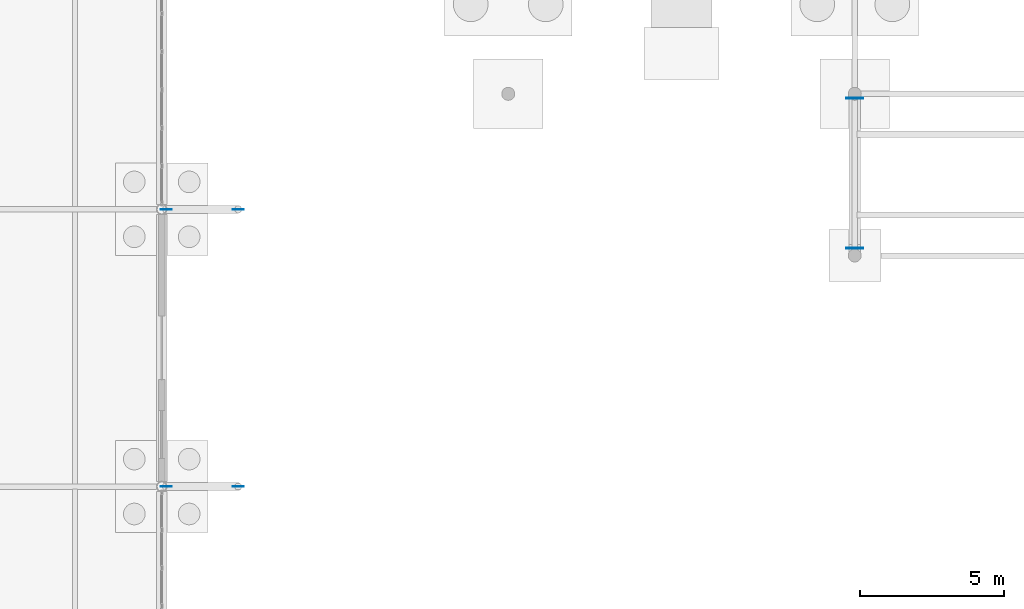
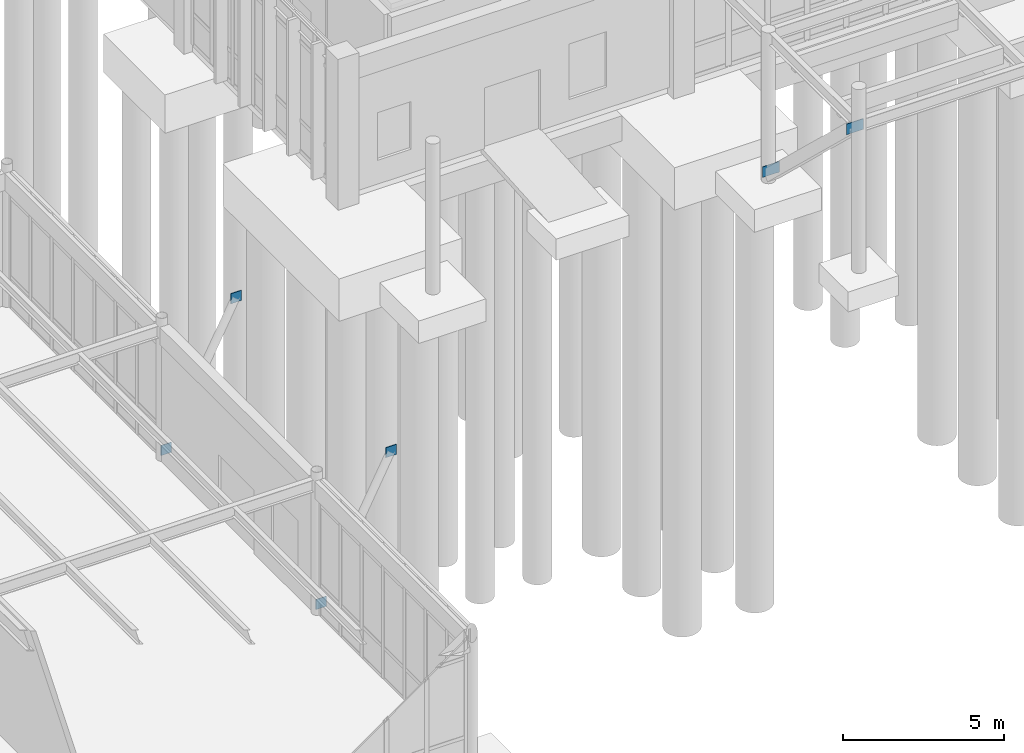
# One storey, part 146 of 188: 6 plates.
"""IFC4 building model written with IfcOpenShell, lengths in metres."""

import ifcopenshell
import ifcopenshell.guid

model = None  # the IFC model being written
_history = None  # IfcOwnerHistory: only IFC2X3 demands one
_inside = {}  # id of a spatial element -> (the spatial element, [elements in it])
_under = {}  # id of a project, library or spatial element -> (it, [spatial elements below it])
_declared = {}  # id of a project -> (the project, [libraries it declares])
_typed = {}  # id of a type object -> (the type object, [elements of that type])
_made_of = {}  # id of a material, layer set ... -> (it, [elements and type objects made of it])


def new_model(schema):
    """Start an empty IFC model of exactly this schema.

    Asked for "IFC4X3", IfcOpenShell would pick the latest addendum, in which some entities
    have other attributes; the version numbers below select the first issue.
    IFC2X3 requires an IfcOwnerHistory on every rooted entity: one is made here for all.
    """
    global model, _history
    if schema == "IFC4X3":
        model = ifcopenshell.file(schema_version=(4, 3, 0, 0))
    else:
        model = ifcopenshell.file(schema=schema)
    _inside.clear()
    _under.clear()
    _declared.clear()
    _typed.clear()
    _made_of.clear()
    _history = None
    if model.schema == "IFC2X3":
        org = make("IfcOrganization", Name="unknown")
        user = make(
            "IfcPersonAndOrganization",
            ThePerson=make("IfcPerson", FamilyName="unknown"),
            TheOrganization=org,
        )
        app = make(
            "IfcApplication",
            ApplicationDeveloper=org,
            Version="unknown",
            ApplicationFullName="unknown",
            ApplicationIdentifier="unknown",
        )
        _history = make(
            "IfcOwnerHistory",
            OwningUser=user,
            OwningApplication=app,
            ChangeAction="ADDED",
            CreationDate=0,
        )
    return model


def make(cls, **values):
    """One entity of the class cls with the attributes given. An attribute that is None is left unset."""
    return model.create_entity(
        cls, **{name: value for name, value in values.items() if value is not None}
    )


def rooted(cls, **values):
    """An entity with a GlobalId (a new one), such as an element, a storey or a relation."""
    return make(cls, GlobalId=ifcopenshell.guid.new(), OwnerHistory=_history, **values)


def si_unit(unit_type, name, prefix=None):
    """IfcSIUnit, for example si_unit("LENGTHUNIT", "METRE", prefix="MILLI")."""
    return make("IfcSIUnit", UnitType=unit_type, Prefix=prefix, Name=name)


def assignment(units):
    """IfcUnitAssignment: the units of a project."""
    return None if units is None else make("IfcUnitAssignment", Units=units)


def point(xyz):
    """IfcCartesianPoint."""
    return None if xyz is None else make("IfcCartesianPoint", Coordinates=xyz)


def direction(xyz):
    """IfcDirection."""
    return None if xyz is None else make("IfcDirection", DirectionRatios=xyz)


def frame(location, z_axis=None, x_axis=None):
    """IfcAxis2Placement3D, a coordinate frame: its origin and axes. An axis left out is left unset."""
    return make(
        "IfcAxis2Placement3D",
        Location=point(location),
        Axis=direction(z_axis),
        RefDirection=direction(x_axis),
    )


def frame_2d(location, x_axis=None):
    """IfcAxis2Placement2D, a coordinate frame in the plane: its origin and x axis."""
    return make(
        "IfcAxis2Placement2D", Location=point(location), RefDirection=direction(x_axis)
    )


def origin():
    """The frame at (0, 0, 0) with its axes left unset."""
    return frame((0.0, 0.0, 0.0))


def origin_2d():
    """The frame at (0, 0) in the plane with its x axis left unset."""
    return frame_2d((0.0, 0.0))


def place(relative_to, where):
    """IfcLocalPlacement: puts the frame where relative to a parent placement (None: the world)."""
    return make(
        "IfcLocalPlacement", PlacementRelTo=relative_to, RelativePlacement=where
    )


def context(
    kind, dimensions, precision=None, world=None, true_north=None, identifier=None
):
    """IfcGeometricRepresentationContext, for example the 3D "Model" context."""
    return make(
        "IfcGeometricRepresentationContext",
        ContextIdentifier=identifier,
        ContextType=kind,
        CoordinateSpaceDimension=dimensions,
        Precision=precision,
        WorldCoordinateSystem=world,
        TrueNorth=true_north,
    )


def subcontext(parent, identifier, kind, view, scale=None):
    """IfcGeometricRepresentationSubContext, for example "Body" below "Model"."""
    return make(
        "IfcGeometricRepresentationSubContext",
        ContextIdentifier=identifier,
        ContextType=kind,
        ParentContext=parent,
        TargetScale=scale,
        TargetView=view,
    )


def project(units=None, contexts=None):
    """IfcProject with its units and contexts."""
    return rooted(
        "IfcProject",
        Name="project",
        RepresentationContexts=contexts,
        UnitsInContext=assignment(units),
    )


def spatial(cls, under=None, at=None, **own):
    """A site, building, storey or space (cls), placed at a placement, below another one or the project."""
    s = rooted(cls, ObjectPlacement=at, **own)
    if under is not None:
        _under.setdefault(under.id(), (under, []))[1].append(s)
    return s


def profile(cls, at=None, kind="AREA", **sizes):
    """A parametric profile (cls). Its sizes go by their IFC names, for example OverallWidth=200.0."""
    return make(cls, ProfileType=kind, Position=at, **sizes)


def rectangle(**sizes):
    """IfcRectangleProfileDef."""
    return profile("IfcRectangleProfileDef", **sizes)


def extrude(swept, where, along, depth):
    """IfcExtrudedAreaSolid: the profile swept, set in the frame where, extruded along a direction by depth."""
    return make(
        "IfcExtrudedAreaSolid",
        SweptArea=swept,
        Position=where,
        ExtrudedDirection=direction(along),
        Depth=depth,
    )


def shape(context_of_items, identifier, shape_type, items):
    """IfcShapeRepresentation: the items that make up one representation, for example the "Body"."""
    return make(
        "IfcShapeRepresentation",
        ContextOfItems=context_of_items,
        RepresentationIdentifier=identifier,
        RepresentationType=shape_type,
        Items=items,
    )


def material(Name=None, Category=None):
    """IfcMaterial."""
    return make("IfcMaterial", Name=Name, Category=Category)


def layer(
    of_material, thickness, ventilated=None, Name=None, Category=None, Priority=None
):
    """IfcMaterialLayer: one layer of a wall or slab, of a material (None: an air gap)."""
    return make(
        "IfcMaterialLayer",
        Material=of_material,
        LayerThickness=thickness,
        IsVentilated=ventilated,
        Name=Name,
        Category=Category,
        Priority=Priority,
    )


def layer_set(layers, Name=None):
    """IfcMaterialLayerSet."""
    return make("IfcMaterialLayerSet", MaterialLayers=layers, LayerSetName=Name)


def made_of(thing, what):
    """Note that an element or type object is made of a material, layer set ...; save() writes the relation."""
    if what is not None:
        _made_of.setdefault(what.id(), (what, []))[1].append(thing)
    return thing


def type_object(cls, material=None, **own):
    """A type object (cls), such as IfcWallType, which elements share."""
    return made_of(rooted(cls, **own), material)


def element(
    cls,
    number,
    at=None,
    inside=None,
    cuts=None,
    type_object=None,
    material=None,
    context=None,
    identifier="Body",
    shape_type=None,
    held_by="IfcProductDefinitionShape",
    body=None,
    shapes=None,
    **own,
):
    """One element of the class cls, such as IfcWall. Its Tag is "e" and its number.

    at: its placement. inside: the storey or other place that contains it. cuts: it is an
    opening in that element (IfcRelVoidsElement). A single representation is given by context,
    identifier, shape_type and body (its items); several are given by shapes. held_by: the class
    of the entity that holds the representations. save() writes the other relations.
    """
    e = rooted(cls, Tag="e%d" % number, ObjectPlacement=at, **own)
    if body is not None:
        shapes = [shape(context, identifier, shape_type, body)]
    if shapes is not None:
        e.Representation = make(held_by, Representations=shapes)
    if inside is not None:
        _inside.setdefault(inside.id(), (inside, []))[1].append(e)
    if cuts is not None:
        rooted(
            "IfcRelVoidsElement", RelatingBuildingElement=cuts, RelatedOpeningElement=e
        )
    if type_object is not None:
        _typed.setdefault(type_object.id(), (type_object, []))[1].append(e)
    return made_of(e, material)


def aggregate(whole, parts):
    """IfcRelAggregates: a whole, such as a stair, and the parts it consists of."""
    return rooted("IfcRelAggregates", RelatingObject=whole, RelatedObjects=parts)


def save(model, path):
    """Write the relations noted so far, then the file.

    IfcRelAggregates (storeys below a building ...), IfcRelContainedInSpatialStructure (elements
    in a storey), IfcRelDefinesByType, IfcRelAssociatesMaterial and IfcRelDeclares: one each for
    every whole, place, type object, material and project.
    """
    for whole, parts in _under.values():
        aggregate(whole, parts)
    for where, things in _inside.values():
        rooted(
            "IfcRelContainedInSpatialStructure",
            RelatedElements=things,
            RelatingStructure=where,
        )
    for kind, things in _typed.values():
        rooted("IfcRelDefinesByType", RelatedObjects=things, RelatingType=kind)
    for what, things in _made_of.values():
        rooted("IfcRelAssociatesMaterial", RelatedObjects=things, RelatingMaterial=what)
    for by, libraries in _declared.values():
        rooted("IfcRelDeclares", RelatingContext=by, RelatedDefinitions=libraries)
    model.write(path)


model = new_model("IFC4")

# Units and contexts
model_context = context("Model", 3, precision=1e-05, world=origin(), true_north=direction((0.0, 1.0)))
body_context = subcontext(model_context, "Body", "Model", "MODEL_VIEW")
ifc_project = project(units=[si_unit("LENGTHUNIT", "METRE"), si_unit("AREAUNIT", "SQUARE_METRE"), si_unit("VOLUMEUNIT", "CUBIC_METRE"), si_unit("PLANEANGLEUNIT", "RADIAN"), si_unit("MASSUNIT", "GRAM", prefix="KILO")], contexts=[model_context])

# Site, building, storey
site_placement = place(None, origin())
site = spatial("IfcSite", under=ifc_project, at=site_placement, CompositionType="ELEMENT")
building_placement = place(site_placement, origin())
building = spatial("IfcBuilding", under=site, at=building_placement, Name="Pandanus Reach Market Hall", CompositionType="ELEMENT")
storey_placement = place(building_placement, origin())
storey = spatial("IfcBuildingStorey", under=building, at=storey_placement, Name="L00", CompositionType="ELEMENT", Elevation=0.0)

# Plates
ifc_material = material(Name="Steel Grade 350 (350 MPa)", Category="steel")
ifc_layer_1 = layer(ifc_material, 0.02197265625, Name="CP-PL22")
ifc_layer_set_1 = layer_set([ifc_layer_1], Name="Steel Grade 350 (350 MPa)")
plate_type_1 = type_object("IfcPlateType", Name="CP-PL22", PredefinedType="SHEET", material=ifc_layer_set_1)
for number, where, z_axis, x_axis, name in (
    (1, (36.14990234375, 9.60009765625, 0.110107421875), (0.0, 0.0, 1.0), (1.0, 0.0, 0.0), "Tubular strut end plate CP-PL22 96A"),
    (2, (38.64990234375, 9.60009765625, 4.97509765625), (0.0, 0.0, 1.0), (1.0, 0.0, 0.0), "Tubular strut end plate CP-PL22 96B"),
    (3, (36.14990234375, 19.199951171875, 0.110107421875), (0.0, 0.0, 1.0), (1.0, 0.0, 0.0), "Tubular strut end plate CP-PL22 192A"),
    (4, (38.64990234375, 19.199951171875, 4.97509765625), (0.0, 0.0, 1.0), (1.0, 0.0, 0.0), "Tubular strut end plate CP-PL22 192B"),
):
    element("IfcPlate", number, at=place(storey_placement, frame(where, z_axis=z_axis, x_axis=x_axis)), inside=storey, type_object=plate_type_1, Name=name, PredefinedType="SHEET", context=body_context, shape_type="SweptSolid", body=[
        extrude(rectangle(XDim=0.3798828125, YDim=0.02197265625, at=origin_2d()), origin(), (0.0, 0.0, 1.0), 0.3798828125),
    ])
ifc_layer_2 = layer(ifc_material, 0.02392578125, Name="GS-PL24")
ifc_layer_set_2 = layer_set([ifc_layer_2], Name="Steel Grade 350 (350 MPa)")
plate_type_2 = type_object("IfcPlateType", Name="GS-PL24", PredefinedType="SHEET", material=ifc_layer_set_2)
for number, where, z_axis, x_axis, name in (
    (5, (60.0, 23.050048828125, -0.02001953125), (0.0, 0.0, 1.0), (1.0, 0.0, 0.0), "Canopy splayed strut anchorage plate GS-PL24 C1A"),
    (6, (60.0, 17.85009765625, 4.75), (0.0, 0.0, 1.0), (1.0, 0.0, 0.0), "Canopy splayed strut anchorage plate GS-PL24 C1B"),
):
    element("IfcPlate", number, at=place(storey_placement, frame(where, z_axis=z_axis, x_axis=x_axis)), inside=storey, type_object=plate_type_2, Name=name, PredefinedType="SHEET", context=body_context, shape_type="SweptSolid", body=[
        extrude(rectangle(XDim=0.60009765625, YDim=0.02392578125, at=origin_2d()), origin(), (0.0, 0.0, 1.0), 0.39990234375),
    ])

save(model, "model.ifc")
